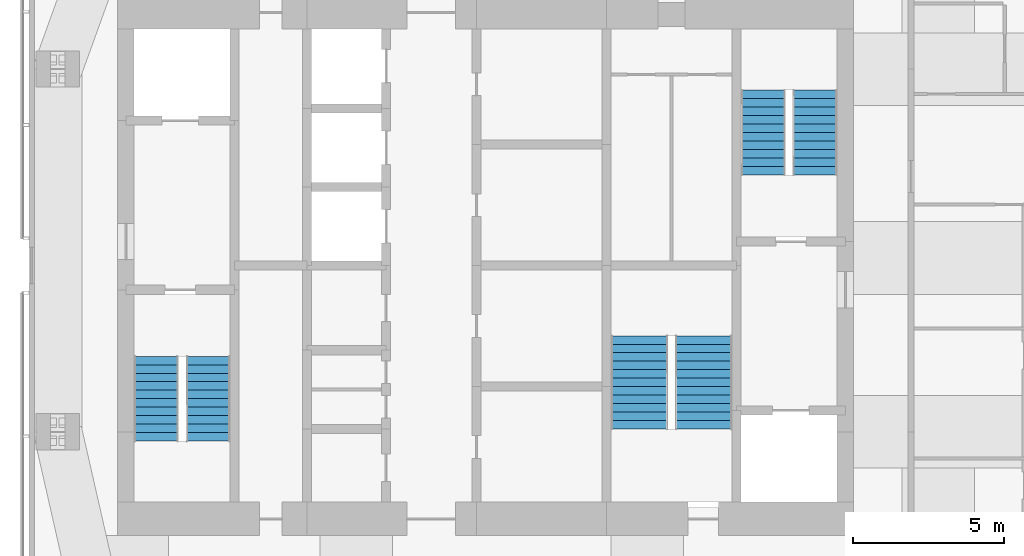
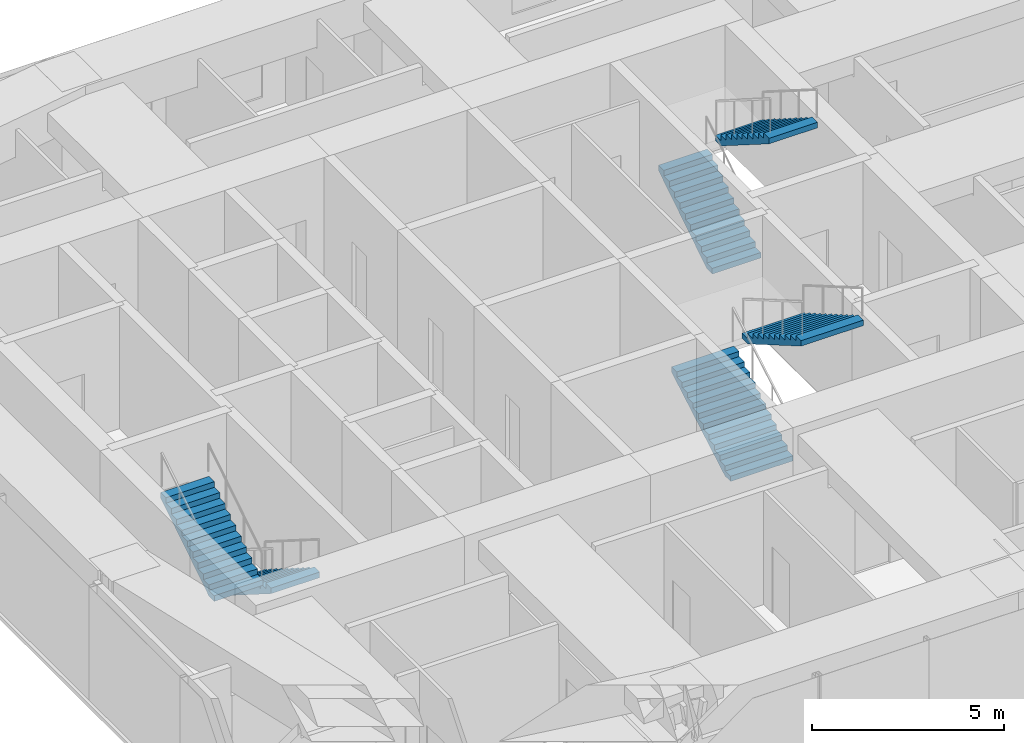
# One storey, part 19 of 20: 6 stair flights, 3 elements without a shape of their own.
"""IFC4 building model written with IfcOpenShell, lengths in metres."""

import ifcopenshell
import ifcopenshell.guid

model = None  # the IFC model being written
_history = None  # IfcOwnerHistory: only IFC2X3 demands one
_inside = {}  # id of a spatial element -> (the spatial element, [elements in it])
_under = {}  # id of a project, library or spatial element -> (it, [spatial elements below it])
_declared = {}  # id of a project -> (the project, [libraries it declares])
_typed = {}  # id of a type object -> (the type object, [elements of that type])
_made_of = {}  # id of a material, layer set ... -> (it, [elements and type objects made of it])


def new_model(schema):
    """Start an empty IFC model of exactly this schema.

    Asked for "IFC4X3", IfcOpenShell would pick the latest addendum, in which some entities
    have other attributes; the version numbers below select the first issue.
    IFC2X3 requires an IfcOwnerHistory on every rooted entity: one is made here for all.
    """
    global model, _history
    if schema == "IFC4X3":
        model = ifcopenshell.file(schema_version=(4, 3, 0, 0))
    else:
        model = ifcopenshell.file(schema=schema)
    _inside.clear()
    _under.clear()
    _declared.clear()
    _typed.clear()
    _made_of.clear()
    _history = None
    if model.schema == "IFC2X3":
        org = make("IfcOrganization", Name="unknown")
        user = make(
            "IfcPersonAndOrganization",
            ThePerson=make("IfcPerson", FamilyName="unknown"),
            TheOrganization=org,
        )
        app = make(
            "IfcApplication",
            ApplicationDeveloper=org,
            Version="unknown",
            ApplicationFullName="unknown",
            ApplicationIdentifier="unknown",
        )
        _history = make(
            "IfcOwnerHistory",
            OwningUser=user,
            OwningApplication=app,
            ChangeAction="ADDED",
            CreationDate=0,
        )
    return model


def make(cls, **values):
    """One entity of the class cls with the attributes given. An attribute that is None is left unset."""
    return model.create_entity(
        cls, **{name: value for name, value in values.items() if value is not None}
    )


def rooted(cls, **values):
    """An entity with a GlobalId (a new one), such as an element, a storey or a relation."""
    return make(cls, GlobalId=ifcopenshell.guid.new(), OwnerHistory=_history, **values)


def si_unit(unit_type, name, prefix=None):
    """IfcSIUnit, for example si_unit("LENGTHUNIT", "METRE", prefix="MILLI")."""
    return make("IfcSIUnit", UnitType=unit_type, Prefix=prefix, Name=name)


def assignment(units):
    """IfcUnitAssignment: the units of a project."""
    return None if units is None else make("IfcUnitAssignment", Units=units)


def point(xyz):
    """IfcCartesianPoint."""
    return None if xyz is None else make("IfcCartesianPoint", Coordinates=xyz)


def direction(xyz):
    """IfcDirection."""
    return None if xyz is None else make("IfcDirection", DirectionRatios=xyz)


def frame(location, z_axis=None, x_axis=None):
    """IfcAxis2Placement3D, a coordinate frame: its origin and axes. An axis left out is left unset."""
    return make(
        "IfcAxis2Placement3D",
        Location=point(location),
        Axis=direction(z_axis),
        RefDirection=direction(x_axis),
    )


def origin():
    """The frame at (0, 0, 0) with its axes left unset."""
    return frame((0.0, 0.0, 0.0))


def place(relative_to, where):
    """IfcLocalPlacement: puts the frame where relative to a parent placement (None: the world)."""
    return make(
        "IfcLocalPlacement", PlacementRelTo=relative_to, RelativePlacement=where
    )


def context(
    kind, dimensions, precision=None, world=None, true_north=None, identifier=None
):
    """IfcGeometricRepresentationContext, for example the 3D "Model" context."""
    return make(
        "IfcGeometricRepresentationContext",
        ContextIdentifier=identifier,
        ContextType=kind,
        CoordinateSpaceDimension=dimensions,
        Precision=precision,
        WorldCoordinateSystem=world,
        TrueNorth=true_north,
    )


def subcontext(parent, identifier, kind, view, scale=None):
    """IfcGeometricRepresentationSubContext, for example "Body" below "Model"."""
    return make(
        "IfcGeometricRepresentationSubContext",
        ContextIdentifier=identifier,
        ContextType=kind,
        ParentContext=parent,
        TargetScale=scale,
        TargetView=view,
    )


def project(units=None, contexts=None):
    """IfcProject with its units and contexts."""
    return rooted(
        "IfcProject",
        Name="project",
        RepresentationContexts=contexts,
        UnitsInContext=assignment(units),
    )


def spatial(cls, under=None, at=None, **own):
    """A site, building, storey or space (cls), placed at a placement, below another one or the project."""
    s = rooted(cls, ObjectPlacement=at, **own)
    if under is not None:
        _under.setdefault(under.id(), (under, []))[1].append(s)
    return s


def polyline(points):
    """IfcPolyline through the points."""
    return make("IfcPolyline", Points=[point(p) for p in points])


def outline(outer, holes=None, kind="AREA"):
    """IfcArbitraryClosedProfileDef: a profile drawn as a closed curve; with holes, ...WithVoids."""
    if holes is None:
        return make("IfcArbitraryClosedProfileDef", ProfileType=kind, OuterCurve=outer)
    return make(
        "IfcArbitraryProfileDefWithVoids",
        ProfileType=kind,
        OuterCurve=outer,
        InnerCurves=holes,
    )


def extrude(swept, where, along, depth):
    """IfcExtrudedAreaSolid: the profile swept, set in the frame where, extruded along a direction by depth."""
    return make(
        "IfcExtrudedAreaSolid",
        SweptArea=swept,
        Position=where,
        ExtrudedDirection=direction(along),
        Depth=depth,
    )


def shape(context_of_items, identifier, shape_type, items):
    """IfcShapeRepresentation: the items that make up one representation, for example the "Body"."""
    return make(
        "IfcShapeRepresentation",
        ContextOfItems=context_of_items,
        RepresentationIdentifier=identifier,
        RepresentationType=shape_type,
        Items=items,
    )


def material(Name=None, Category=None):
    """IfcMaterial."""
    return make("IfcMaterial", Name=Name, Category=Category)


def made_of(thing, what):
    """Note that an element or type object is made of a material, layer set ...; save() writes the relation."""
    if what is not None:
        _made_of.setdefault(what.id(), (what, []))[1].append(thing)
    return thing


def type_object(cls, material=None, **own):
    """A type object (cls), such as IfcWallType, which elements share."""
    return made_of(rooted(cls, **own), material)


def element(
    cls,
    number,
    at=None,
    inside=None,
    cuts=None,
    type_object=None,
    material=None,
    context=None,
    identifier="Body",
    shape_type=None,
    held_by="IfcProductDefinitionShape",
    body=None,
    shapes=None,
    **own,
):
    """One element of the class cls, such as IfcWall. Its Tag is "e" and its number.

    at: its placement. inside: the storey or other place that contains it. cuts: it is an
    opening in that element (IfcRelVoidsElement). A single representation is given by context,
    identifier, shape_type and body (its items); several are given by shapes. held_by: the class
    of the entity that holds the representations. save() writes the other relations.
    """
    e = rooted(cls, Tag="e%d" % number, ObjectPlacement=at, **own)
    if body is not None:
        shapes = [shape(context, identifier, shape_type, body)]
    if shapes is not None:
        e.Representation = make(held_by, Representations=shapes)
    if inside is not None:
        _inside.setdefault(inside.id(), (inside, []))[1].append(e)
    if cuts is not None:
        rooted(
            "IfcRelVoidsElement", RelatingBuildingElement=cuts, RelatedOpeningElement=e
        )
    if type_object is not None:
        _typed.setdefault(type_object.id(), (type_object, []))[1].append(e)
    return made_of(e, material)


def aggregate(whole, parts):
    """IfcRelAggregates: a whole, such as a stair, and the parts it consists of."""
    return rooted("IfcRelAggregates", RelatingObject=whole, RelatedObjects=parts)


def save(model, path):
    """Write the relations noted so far, then the file.

    IfcRelAggregates (storeys below a building ...), IfcRelContainedInSpatialStructure (elements
    in a storey), IfcRelDefinesByType, IfcRelAssociatesMaterial and IfcRelDeclares: one each for
    every whole, place, type object, material and project.
    """
    for whole, parts in _under.values():
        aggregate(whole, parts)
    for where, things in _inside.values():
        rooted(
            "IfcRelContainedInSpatialStructure",
            RelatedElements=things,
            RelatingStructure=where,
        )
    for kind, things in _typed.values():
        rooted("IfcRelDefinesByType", RelatedObjects=things, RelatingType=kind)
    for what, things in _made_of.values():
        rooted("IfcRelAssociatesMaterial", RelatedObjects=things, RelatingMaterial=what)
    for by, libraries in _declared.values():
        rooted("IfcRelDeclares", RelatingContext=by, RelatedDefinitions=libraries)
    model.write(path)


model = new_model("IFC4")

# Units and contexts
model_context = context("Model", 3, precision=1e-05, world=origin(), true_north=direction((0.0, 1.0)))
body_context = subcontext(model_context, "Body", "Model", "MODEL_VIEW")
ifc_project = project(units=[si_unit("LENGTHUNIT", "METRE"), si_unit("AREAUNIT", "SQUARE_METRE"), si_unit("VOLUMEUNIT", "CUBIC_METRE"), si_unit("PLANEANGLEUNIT", "RADIAN"), si_unit("MASSUNIT", "GRAM", prefix="KILO")], contexts=[model_context])

# Site, building, storey
site_placement = place(None, origin())
site = spatial("IfcSite", under=ifc_project, at=site_placement, CompositionType="ELEMENT")
building_placement = place(site_placement, origin())
building = spatial("IfcBuilding", under=site, at=building_placement, Name="Jalousie Tower", CompositionType="ELEMENT")
storey_placement = place(building_placement, frame((0.0, 0.0, 263.85009765625)))
storey = spatial("IfcBuildingStorey", under=building, at=storey_placement, Name="L72", CompositionType="ELEMENT", Elevation=263.85009765625)

# Stair, stair flights
ifc_material_1 = material(Name="Concrete f'c 40 MPa", Category="concrete")
stair_type = type_object("IfcStairType", Name="EXIT STAIR", PredefinedType="HALF_TURN_STAIR", material=ifc_material_1)
stair_1_placement = place(storey_placement, origin())
stair_1 = element("IfcStair", 1, at=stair_1_placement, inside=storey, type_object=stair_type, Name="Exit stair A L72", PredefinedType="HALF_TURN_STAIR")
ifc_material_2 = material(Name="Concrete f'c 40 MPa", Category="concrete")
stair_flight_type = type_object("IfcStairFlightType", Name="STAIR FLIGHT", PredefinedType="STRAIGHT", material=ifc_material_2)
stair_flight_1_placement = place(storey_placement, frame((22.71875, 15.49755859375, 0.0), z_axis=(0.0, 0.0, 1.0), x_axis=(0.0, -1.0, 0.0)))
stair_flight_1 = element("IfcStairFlight", 2, at=stair_flight_1_placement, type_object=stair_flight_type, Name="ST-A flight 1", NumberOfRisers=11, NumberOfTreads=10, PredefinedType="STRAIGHT", RiserHeight=0.177272727, TreadLength=0.28, context=body_context, shape_type="SweptSolid", body=[
    extrude(outline(polyline([(0.0, 0.0), (0.0, 0.17724609375), (0.280029296875, 0.17724609375), (0.280029296875, 0.3544921875), (0.56005859375, 0.3544921875), (0.56005859375, 0.53173828125), (0.840087890625, 0.53173828125), (0.840087890625, 0.708984375), (1.1201171875, 0.708984375), (1.1201171875, 0.886474609375), (1.39990234375, 0.886474609375), (1.39990234375, 1.063720703125), (1.679931640625, 1.063720703125), (1.679931640625, 1.240966796875), (1.9599609375, 1.240966796875), (1.9599609375, 1.418212890625), (2.239990234375, 1.418212890625), (2.239990234375, 1.595458984375), (2.52001953125, 1.595458984375), (2.52001953125, 1.772705078125), (2.800048828125, 1.772705078125), (2.800048828125, 1.949951171875), (2.800048828125, 1.59521484375), (0.2802734375, 0.0), (0.0, 0.0)])), frame((0.0, 0.731201171875, 0.0), z_axis=(0.0, -1.0, 0.0), x_axis=(1.0, 0.0, 0.0)), (0.0, 0.0, 1.0), 1.46240234375),
])
stair_flight_2_placement = place(storey_placement, frame((21.00634765625, 12.697509765625, 1.949951171875), z_axis=(0.0, 0.0, 1.0), x_axis=(0.0, 1.0, 0.0)))
stair_flight_2 = element("IfcStairFlight", 3, at=stair_flight_2_placement, type_object=stair_flight_type, Name="ST-A flight 2", NumberOfRisers=11, NumberOfTreads=10, PredefinedType="STRAIGHT", RiserHeight=0.177272727, TreadLength=0.28, context=body_context, shape_type="SweptSolid", body=[
    extrude(outline(polyline([(0.0, 0.0), (0.0, 0.17724609375), (0.280029296875, 0.17724609375), (0.280029296875, 0.3544921875), (0.56005859375, 0.3544921875), (0.56005859375, 0.53173828125), (0.840087890625, 0.53173828125), (0.840087890625, 0.708984375), (1.1201171875, 0.708984375), (1.1201171875, 0.886474609375), (1.39990234375, 0.886474609375), (1.39990234375, 1.063720703125), (1.679931640625, 1.063720703125), (1.679931640625, 1.240966796875), (1.9599609375, 1.240966796875), (1.9599609375, 1.418212890625), (2.239990234375, 1.418212890625), (2.239990234375, 1.595458984375), (2.52001953125, 1.595458984375), (2.52001953125, 1.772705078125), (2.800048828125, 1.772705078125), (2.800048828125, 1.949951171875), (2.800048828125, 1.59521484375), (0.2802734375, 0.0), (0.0, 0.0)])), frame((0.0, 0.731201171875, 0.0), z_axis=(0.0, -1.0, 0.0), x_axis=(1.0, 0.0, 0.0)), (0.0, 0.0, 1.0), 1.46240234375),
])
aggregate(stair_1, [stair_flight_1, stair_flight_2])

stair_2_placement = place(storey_placement, origin())
stair_2 = element("IfcStair", 4, at=stair_2_placement, inside=storey, type_object=stair_type, Name="Exit stair B L72", PredefinedType="HALF_TURN_STAIR")
stair_flight_3_placement = place(storey_placement, frame((41.081298828125, 21.50244140625, 0.0), z_axis=(0.0, 0.0, 1.0), x_axis=(0.0, 1.0, 0.0)))
stair_flight_3 = element("IfcStairFlight", 5, at=stair_flight_3_placement, type_object=stair_flight_type, Name="ST-B flight 1", NumberOfRisers=11, NumberOfTreads=10, PredefinedType="STRAIGHT", RiserHeight=0.177272727, TreadLength=0.28, context=body_context, shape_type="SweptSolid", body=[
    extrude(outline(polyline([(0.0, 0.0), (0.0, 0.17724609375), (0.280029296875, 0.17724609375), (0.280029296875, 0.3544921875), (0.56005859375, 0.3544921875), (0.56005859375, 0.53173828125), (0.840087890625, 0.53173828125), (0.840087890625, 0.708984375), (1.1201171875, 0.708984375), (1.1201171875, 0.886474609375), (1.39990234375, 0.886474609375), (1.39990234375, 1.063720703125), (1.679931640625, 1.063720703125), (1.679931640625, 1.240966796875), (1.9599609375, 1.240966796875), (1.9599609375, 1.418212890625), (2.239990234375, 1.418212890625), (2.239990234375, 1.595458984375), (2.52001953125, 1.595458984375), (2.52001953125, 1.772705078125), (2.800048828125, 1.772705078125), (2.800048828125, 1.949951171875), (2.800048828125, 1.59521484375), (0.2802734375, 0.0), (0.0, 0.0)])), frame((0.0, 0.731201171875, 0.0), z_axis=(0.0, -1.0, 0.0), x_axis=(1.0, 0.0, 0.0)), (0.0, 0.0, 1.0), 1.46240234375),
])
stair_flight_4_placement = place(storey_placement, frame((42.793701171875, 24.302490234375, 1.949951171875), z_axis=(0.0, 0.0, 1.0), x_axis=(0.0, -1.0, 0.0)))
stair_flight_4 = element("IfcStairFlight", 6, at=stair_flight_4_placement, type_object=stair_flight_type, Name="ST-B flight 2", NumberOfRisers=11, NumberOfTreads=10, PredefinedType="STRAIGHT", RiserHeight=0.177272727, TreadLength=0.28, context=body_context, shape_type="SweptSolid", body=[
    extrude(outline(polyline([(0.0, 0.0), (0.0, 0.17724609375), (0.280029296875, 0.17724609375), (0.280029296875, 0.3544921875), (0.56005859375, 0.3544921875), (0.56005859375, 0.53173828125), (0.840087890625, 0.53173828125), (0.840087890625, 0.708984375), (1.1201171875, 0.708984375), (1.1201171875, 0.886474609375), (1.39990234375, 0.886474609375), (1.39990234375, 1.063720703125), (1.679931640625, 1.063720703125), (1.679931640625, 1.240966796875), (1.9599609375, 1.240966796875), (1.9599609375, 1.418212890625), (2.239990234375, 1.418212890625), (2.239990234375, 1.595458984375), (2.52001953125, 1.595458984375), (2.52001953125, 1.772705078125), (2.800048828125, 1.772705078125), (2.800048828125, 1.949951171875), (2.800048828125, 1.59521484375), (0.2802734375, 0.0), (0.0, 0.0)])), frame((0.0, 0.731201171875, 0.0), z_axis=(0.0, -1.0, 0.0), x_axis=(1.0, 0.0, 0.0)), (0.0, 0.0, 1.0), 1.46240234375),
])
aggregate(stair_2, [stair_flight_3, stair_flight_4])

stair_3_placement = place(storey_placement, origin())
stair_3 = element("IfcStair", 7, at=stair_3_placement, inside=storey, type_object=stair_type, Name="Exit stair C L72", PredefinedType="HALF_TURN_STAIR")
stair_flight_5_placement = place(storey_placement, frame((36.987548828125, 13.097412109375, 0.0), z_axis=(0.0, 0.0, 1.0), x_axis=(0.0, 1.0, 0.0)))
stair_flight_5 = element("IfcStairFlight", 8, at=stair_flight_5_placement, type_object=stair_flight_type, Name="ST-C flight 1", NumberOfRisers=12, NumberOfTreads=11, PredefinedType="STRAIGHT", RiserHeight=0.1625, TreadLength=0.28, context=body_context, shape_type="SweptSolid", body=[
    extrude(outline(polyline([(0.0, 0.0), (0.0, 0.16259765625), (0.280029296875, 0.16259765625), (0.280029296875, 0.324951171875), (0.56005859375, 0.324951171875), (0.56005859375, 0.487548828125), (0.840087890625, 0.487548828125), (0.840087890625, 0.64990234375), (1.1201171875, 0.64990234375), (1.1201171875, 0.8125), (1.39990234375, 0.8125), (1.39990234375, 0.97509765625), (1.679931640625, 0.97509765625), (1.679931640625, 1.137451171875), (1.9599609375, 1.137451171875), (1.9599609375, 1.300048828125), (2.239990234375, 1.300048828125), (2.239990234375, 1.46240234375), (2.52001953125, 1.46240234375), (2.52001953125, 1.625), (2.800048828125, 1.625), (2.800048828125, 1.78759765625), (3.080078125, 1.78759765625), (3.080078125, 1.949951171875), (3.080078125, 1.6142578125), (0.298583984375, 0.0), (0.0, 0.0)])), frame((0.0, 0.9375, 0.0), z_axis=(0.0, -1.0, 0.0), x_axis=(1.0, 0.0, 0.0)), (0.0, 0.0, 1.0), 1.875),
])
stair_flight_6_placement = place(storey_placement, frame((39.112548828125, 16.177490234375, 1.949951171875), z_axis=(0.0, 0.0, 1.0), x_axis=(0.0, -1.0, 0.0)))
stair_flight_6 = element("IfcStairFlight", 9, at=stair_flight_6_placement, type_object=stair_flight_type, Name="ST-C flight 2", NumberOfRisers=12, NumberOfTreads=11, PredefinedType="STRAIGHT", RiserHeight=0.1625, TreadLength=0.28, context=body_context, shape_type="SweptSolid", body=[
    extrude(outline(polyline([(0.0, 0.0), (0.0, 0.16259765625), (0.280029296875, 0.16259765625), (0.280029296875, 0.324951171875), (0.56005859375, 0.324951171875), (0.56005859375, 0.487548828125), (0.840087890625, 0.487548828125), (0.840087890625, 0.64990234375), (1.1201171875, 0.64990234375), (1.1201171875, 0.8125), (1.39990234375, 0.8125), (1.39990234375, 0.97509765625), (1.679931640625, 0.97509765625), (1.679931640625, 1.137451171875), (1.9599609375, 1.137451171875), (1.9599609375, 1.300048828125), (2.239990234375, 1.300048828125), (2.239990234375, 1.46240234375), (2.52001953125, 1.46240234375), (2.52001953125, 1.625), (2.800048828125, 1.625), (2.800048828125, 1.78759765625), (3.080078125, 1.78759765625), (3.080078125, 1.949951171875), (3.080078125, 1.6142578125), (0.298583984375, 0.0), (0.0, 0.0)])), frame((0.0, 0.9375, 0.0), z_axis=(0.0, -1.0, 0.0), x_axis=(1.0, 0.0, 0.0)), (0.0, 0.0, 1.0), 1.875),
])
aggregate(stair_3, [stair_flight_5, stair_flight_6])

save(model, "model.ifc")
